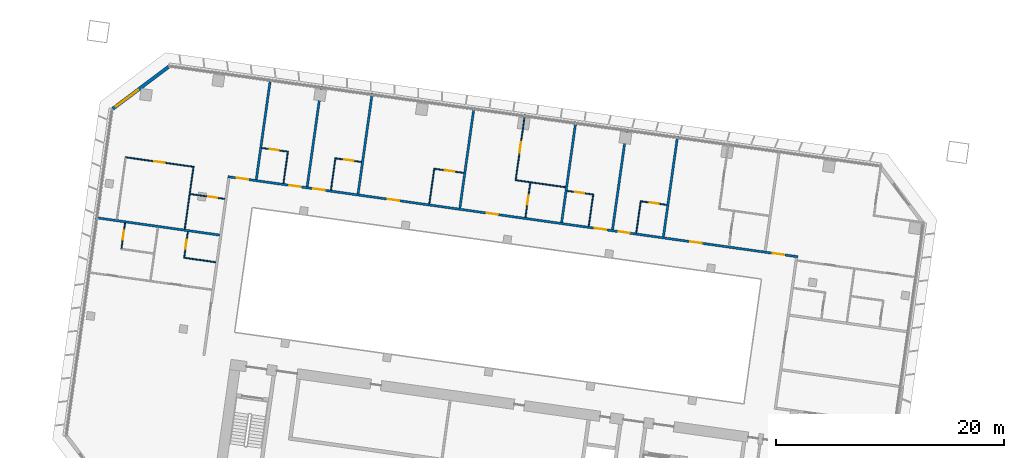
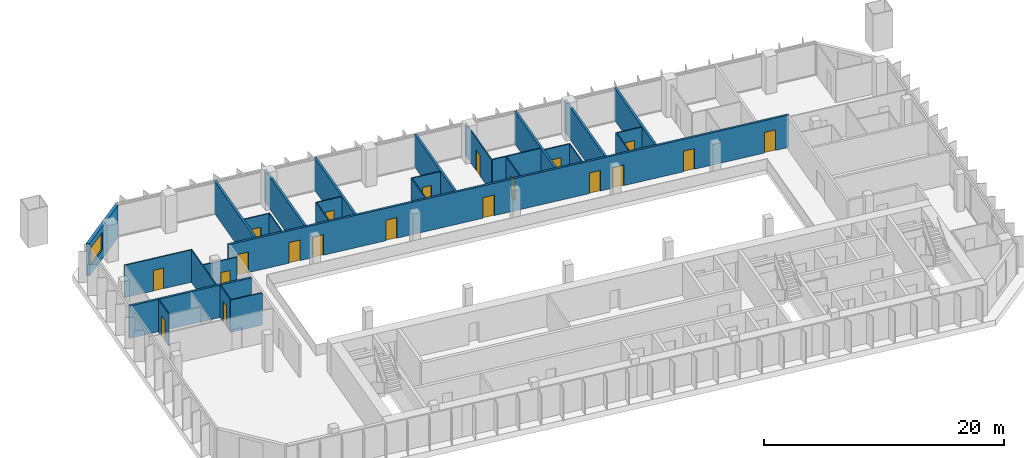
# One storey, part 16 of 24: 29 walls, 20 doors, 1 window, 21 openings.
"""IFC4 building model written with IfcOpenShell, lengths in metres."""

from ifc_helpers import new_model, si_unit, direction, frame, frame_2d, origin, place, context, subcontext, project, spatial, rectangle, extrude, material, layer, layer_set, type_object, element, fill, save


model = new_model("IFC4")

# Units and contexts
model_context = context("Model", 3, precision=1e-05, world=origin(), true_north=direction((0.0, 1.0)))
body_context = subcontext(model_context, "Body", "Model", "MODEL_VIEW")
ifc_project = project(units=[si_unit("LENGTHUNIT", "METRE"), si_unit("AREAUNIT", "SQUARE_METRE"), si_unit("VOLUMEUNIT", "CUBIC_METRE"), si_unit("PLANEANGLEUNIT", "RADIAN"), si_unit("MASSUNIT", "GRAM", prefix="KILO")], contexts=[model_context])

# Site, building, storey
site_placement = place(None, origin())
site = spatial("IfcSite", under=ifc_project, at=site_placement, CompositionType="ELEMENT")
building_placement = place(site_placement, origin())
building = spatial("IfcBuilding", under=site, at=building_placement, Name="Mirante Cascada Hotel Towers", CompositionType="ELEMENT")
storey_placement = place(building_placement, frame((0.0, 0.0, 88.9)))
storey = spatial("IfcBuildingStorey", under=building, at=storey_placement, Name="L19", CompositionType="ELEMENT", Elevation=88.9)

# Wall
ifc_material_1 = material(Name="Fire-rated plasterboard on metal studs")
ifc_layer_1 = layer(ifc_material_1, 0.2)
ifc_layer_set_1 = layer_set([ifc_layer_1], Name="Compartment wall 200 EI 120")
wall_type_1 = type_object("IfcWallType", Name="Compartment wall 200 EI 120", PredefinedType="PARTITIONING", material=ifc_layer_set_1)
wall_1_placement = place(storey_placement, frame((-100.6266, 12.8067, 0.0), z_axis=(0.0, 0.0, 1.0), x_axis=(0.990268, -0.1391733, 0.0)))
element("IfcWall", 1, at=wall_1_placement, inside=storey, type_object=wall_type_1, Name="Wall 1-L19-09", PredefinedType="PARTITIONING", context=body_context, shape_type="SweptSolid", body=[
    extrude(rectangle(XDim=11.0, YDim=0.2, at=frame_2d((5.5, 0.0))), origin(), (0.0, 0.0, 1.0), 3.3),
])

# Wall, openings, doors
wall_2_placement = place(storey_placement, frame((-39.1051, 9.3779, 0.0), z_axis=(0.0, 0.0, 1.0), x_axis=(-0.9902681, 0.1391727, 0.0)))
wall_2 = element("IfcWall", 2, at=wall_2_placement, inside=storey, type_object=wall_type_1, Name="Wall 1-L19-14", PredefinedType="PARTITIONING", context=body_context, shape_type="SweptSolid", body=[
    extrude(rectangle(XDim=50.4, YDim=0.2, at=frame_2d((25.2, 0.0))), origin(), (0.0, 0.0, 1.0), 3.3),
])
opening_1_placement = place(wall_2_placement, frame((1.2, 0.0, 0.0)))
opening_1 = element("IfcOpeningElement", 3, at=opening_1_placement, cuts=wall_2, Name="Opening D1-L19-08", PredefinedType="OPENING", context=body_context, shape_type="SweptSolid", body=[
    extrude(rectangle(XDim=1.0, YDim=2.1, at=frame_2d((0.5, 1.05))), frame((0.0, 0.1, 0.0), z_axis=(0.0, -1.0, 0.0), x_axis=(1.0, 0.0, 0.0)), (0.0, 0.0, 1.0), 0.2),
])
opening_2_placement = place(wall_2_placement, frame((8.5, 0.0, 0.0)))
opening_2 = element("IfcOpeningElement", 4, at=opening_2_placement, cuts=wall_2, Name="Opening D1-L19-09", PredefinedType="OPENING", context=body_context, shape_type="SweptSolid", body=[
    extrude(rectangle(XDim=1.0, YDim=2.1, at=frame_2d((0.5, 1.05))), frame((0.0, 0.1, 0.0), z_axis=(0.0, -1.0, 0.0), x_axis=(1.0, 0.0, 0.0)), (0.0, 0.0, 1.0), 0.2),
])
opening_3_placement = place(wall_2_placement, frame((14.85, 0.0, 0.0)))
opening_3 = element("IfcOpeningElement", 5, at=opening_3_placement, cuts=wall_2, Name="Opening D1-L19-10", PredefinedType="OPENING", context=body_context, shape_type="SweptSolid", body=[
    extrude(rectangle(XDim=1.0, YDim=2.1, at=frame_2d((0.5, 1.05))), frame((0.0, 0.1, 0.0), z_axis=(0.0, -1.0, 0.0), x_axis=(1.0, 0.0, 0.0)), (0.0, 0.0, 1.0), 0.2),
])
opening_4_placement = place(wall_2_placement, frame((16.95, 0.0, 0.0)))
opening_4 = element("IfcOpeningElement", 6, at=opening_4_placement, cuts=wall_2, Name="Opening D1-L19-11", PredefinedType="OPENING", context=body_context, shape_type="SweptSolid", body=[
    extrude(rectangle(XDim=1.0, YDim=2.1, at=frame_2d((0.5, 1.05))), frame((0.0, 0.1, 0.0), z_axis=(0.0, -1.0, 0.0), x_axis=(1.0, 0.0, 0.0)), (0.0, 0.0, 1.0), 0.2),
])
opening_5_placement = place(wall_2_placement, frame((26.5, 0.0, 0.0)))
opening_5 = element("IfcOpeningElement", 7, at=opening_5_placement, cuts=wall_2, Name="Opening D1-L19-12", PredefinedType="OPENING", context=body_context, shape_type="SweptSolid", body=[
    extrude(rectangle(XDim=1.0, YDim=2.1, at=frame_2d((0.5, 1.05))), frame((0.0, 0.1, 0.0), z_axis=(0.0, -1.0, 0.0), x_axis=(1.0, 0.0, 0.0)), (0.0, 0.0, 1.0), 0.2),
])
opening_6_placement = place(wall_2_placement, frame((35.25, 0.0, 0.0)))
opening_6 = element("IfcOpeningElement", 8, at=opening_6_placement, cuts=wall_2, Name="Opening D1-L19-13", PredefinedType="OPENING", context=body_context, shape_type="SweptSolid", body=[
    extrude(rectangle(XDim=1.0, YDim=2.1, at=frame_2d((0.5, 1.05))), frame((0.0, 0.1, 0.0), z_axis=(0.0, -1.0, 0.0), x_axis=(1.0, 0.0, 0.0)), (0.0, 0.0, 1.0), 0.2),
])
opening_7_placement = place(wall_2_placement, frame((41.85, 0.0, 0.0)))
opening_7 = element("IfcOpeningElement", 9, at=opening_7_placement, cuts=wall_2, Name="Opening D1-L19-14", PredefinedType="OPENING", context=body_context, shape_type="SweptSolid", body=[
    extrude(rectangle(XDim=1.0, YDim=2.1, at=frame_2d((0.5, 1.05))), frame((0.0, 0.1, 0.0), z_axis=(0.0, -1.0, 0.0), x_axis=(1.0, 0.0, 0.0)), (0.0, 0.0, 1.0), 0.2),
])
opening_8_placement = place(wall_2_placement, frame((43.95, 0.0, 0.0)))
opening_8 = element("IfcOpeningElement", 10, at=opening_8_placement, cuts=wall_2, Name="Opening D1-L19-15", PredefinedType="OPENING", context=body_context, shape_type="SweptSolid", body=[
    extrude(rectangle(XDim=1.0, YDim=2.1, at=frame_2d((0.5, 1.05))), frame((0.0, 0.1, 0.0), z_axis=(0.0, -1.0, 0.0), x_axis=(1.0, 0.0, 0.0)), (0.0, 0.0, 1.0), 0.2),
])
opening_9_placement = place(wall_2_placement, frame((48.6, 0.0, 0.0)))
opening_9 = element("IfcOpeningElement", 11, at=opening_9_placement, cuts=wall_2, Name="Opening D1-L19-16", PredefinedType="OPENING", context=body_context, shape_type="SweptSolid", body=[
    extrude(rectangle(XDim=1.0, YDim=2.1, at=frame_2d((0.5, 1.05))), frame((0.0, 0.1, 0.0), z_axis=(0.0, -1.0, 0.0), x_axis=(1.0, 0.0, 0.0)), (0.0, 0.0, 1.0), 0.2),
])
ifc_material_2 = material(Name="Fire-rated timber door leaf", Category="wood")
door_type_1 = type_object("IfcDoorType", Name="Entrance door DG1 1000x2100 EI 60", OperationType="SINGLE_SWING_LEFT", PredefinedType="DOOR", material=ifc_material_2)
door_1_placement = place(opening_1_placement, frame((1.0, 0.0, 0.0), z_axis=(0.0, 0.0, 1.0), x_axis=(-1.0, 0.0, 0.0)))
door_1 = element("IfcDoor", 12, at=door_1_placement, inside=storey, type_object=door_type_1, Name="Door D1-L19-08", OperationType="SINGLE_SWING_RIGHT", OverallHeight=2.1, OverallWidth=1.0, PredefinedType="DOOR", context=body_context, shape_type="SweptSolid", body=[
    extrude(rectangle(XDim=1.0, YDim=2.1, at=frame_2d((0.5, 1.05))), frame((0.0, 0.025, 0.0), z_axis=(0.0, -1.0, 0.0), x_axis=(1.0, 0.0, 0.0)), (0.0, 0.0, 1.0), 0.05),
])
fill(opening_1, door_1)
door_2_placement = place(opening_2_placement, frame((1.0, 0.0, 0.0), z_axis=(0.0, 0.0, 1.0), x_axis=(-1.0, 0.0, 0.0)))
door_2 = element("IfcDoor", 13, at=door_2_placement, inside=storey, type_object=door_type_1, Name="Door D1-L19-09", OperationType="SINGLE_SWING_RIGHT", OverallHeight=2.1, OverallWidth=1.0, PredefinedType="DOOR", context=body_context, shape_type="SweptSolid", body=[
    extrude(rectangle(XDim=1.0, YDim=2.1, at=frame_2d((0.5, 1.05))), frame((0.0, 0.025, 0.0), z_axis=(0.0, -1.0, 0.0), x_axis=(1.0, 0.0, 0.0)), (0.0, 0.0, 1.0), 0.05),
])
fill(opening_2, door_2)
door_3_placement = place(opening_3_placement, frame((1.0, 0.0, 0.0), z_axis=(0.0, 0.0, 1.0), x_axis=(-1.0, 0.0, 0.0)))
door_3 = element("IfcDoor", 14, at=door_3_placement, inside=storey, type_object=door_type_1, Name="Door D1-L19-10", OperationType="SINGLE_SWING_RIGHT", OverallHeight=2.1, OverallWidth=1.0, PredefinedType="DOOR", context=body_context, shape_type="SweptSolid", body=[
    extrude(rectangle(XDim=1.0, YDim=2.1, at=frame_2d((0.5, 1.05))), frame((0.0, 0.025, 0.0), z_axis=(0.0, -1.0, 0.0), x_axis=(1.0, 0.0, 0.0)), (0.0, 0.0, 1.0), 0.05),
])
fill(opening_3, door_3)
door_4_placement = place(opening_4_placement, frame((1.0, 0.0, 0.0), z_axis=(0.0, 0.0, 1.0), x_axis=(-1.0, 0.0, 0.0)))
door_4 = element("IfcDoor", 15, at=door_4_placement, inside=storey, type_object=door_type_1, Name="Door D1-L19-11", OperationType="SINGLE_SWING_RIGHT", OverallHeight=2.1, OverallWidth=1.0, PredefinedType="DOOR", context=body_context, shape_type="SweptSolid", body=[
    extrude(rectangle(XDim=1.0, YDim=2.1, at=frame_2d((0.5, 1.05))), frame((0.0, 0.025, 0.0), z_axis=(0.0, -1.0, 0.0), x_axis=(1.0, 0.0, 0.0)), (0.0, 0.0, 1.0), 0.05),
])
fill(opening_4, door_4)
door_5_placement = place(opening_5_placement, frame((1.0, 0.0, 0.0), z_axis=(0.0, 0.0, 1.0), x_axis=(-1.0, 0.0, 0.0)))
door_5 = element("IfcDoor", 16, at=door_5_placement, inside=storey, type_object=door_type_1, Name="Door D1-L19-12", OperationType="SINGLE_SWING_RIGHT", OverallHeight=2.1, OverallWidth=1.0, PredefinedType="DOOR", context=body_context, shape_type="SweptSolid", body=[
    extrude(rectangle(XDim=1.0, YDim=2.1, at=frame_2d((0.5, 1.05))), frame((0.0, 0.025, 0.0), z_axis=(0.0, -1.0, 0.0), x_axis=(1.0, 0.0, 0.0)), (0.0, 0.0, 1.0), 0.05),
])
fill(opening_5, door_5)
door_6_placement = place(opening_6_placement, frame((1.0, 0.0, 0.0), z_axis=(0.0, 0.0, 1.0), x_axis=(-1.0, 0.0, 0.0)))
door_6 = element("IfcDoor", 17, at=door_6_placement, inside=storey, type_object=door_type_1, Name="Door D1-L19-13", OperationType="SINGLE_SWING_RIGHT", OverallHeight=2.1, OverallWidth=1.0, PredefinedType="DOOR", context=body_context, shape_type="SweptSolid", body=[
    extrude(rectangle(XDim=1.0, YDim=2.1, at=frame_2d((0.5, 1.05))), frame((0.0, 0.025, 0.0), z_axis=(0.0, -1.0, 0.0), x_axis=(1.0, 0.0, 0.0)), (0.0, 0.0, 1.0), 0.05),
])
fill(opening_6, door_6)
door_7_placement = place(opening_7_placement, frame((1.0, 0.0, 0.0), z_axis=(0.0, 0.0, 1.0), x_axis=(-1.0, 0.0, 0.0)))
door_7 = element("IfcDoor", 18, at=door_7_placement, inside=storey, type_object=door_type_1, Name="Door D1-L19-14", OperationType="SINGLE_SWING_RIGHT", OverallHeight=2.1, OverallWidth=1.0, PredefinedType="DOOR", context=body_context, shape_type="SweptSolid", body=[
    extrude(rectangle(XDim=1.0, YDim=2.1, at=frame_2d((0.5, 1.05))), frame((0.0, 0.025, 0.0), z_axis=(0.0, -1.0, 0.0), x_axis=(1.0, 0.0, 0.0)), (0.0, 0.0, 1.0), 0.05),
])
fill(opening_7, door_7)
door_8_placement = place(opening_8_placement, frame((1.0, 0.0, 0.0), z_axis=(0.0, 0.0, 1.0), x_axis=(-1.0, 0.0, 0.0)))
door_8 = element("IfcDoor", 19, at=door_8_placement, inside=storey, type_object=door_type_1, Name="Door D1-L19-15", OperationType="SINGLE_SWING_RIGHT", OverallHeight=2.1, OverallWidth=1.0, PredefinedType="DOOR", context=body_context, shape_type="SweptSolid", body=[
    extrude(rectangle(XDim=1.0, YDim=2.1, at=frame_2d((0.5, 1.05))), frame((0.0, 0.025, 0.0), z_axis=(0.0, -1.0, 0.0), x_axis=(1.0, 0.0, 0.0)), (0.0, 0.0, 1.0), 0.05),
])
fill(opening_8, door_8)
door_9_placement = place(opening_9_placement, frame((1.0, 0.0, 0.0), z_axis=(0.0, 0.0, 1.0), x_axis=(-1.0, 0.0, 0.0)))
door_9 = element("IfcDoor", 20, at=door_9_placement, inside=storey, type_object=door_type_1, Name="Door D1-L19-16", OperationType="SINGLE_SWING_RIGHT", OverallHeight=2.1, OverallWidth=1.0, PredefinedType="DOOR", context=body_context, shape_type="SweptSolid", body=[
    extrude(rectangle(XDim=1.0, YDim=2.1, at=frame_2d((0.5, 1.05))), frame((0.0, 0.025, 0.0), z_axis=(0.0, -1.0, 0.0), x_axis=(1.0, 0.0, 0.0)), (0.0, 0.0, 1.0), 0.05),
])
fill(opening_9, door_9)

# Walls
for number, where, z_axis, x_axis, name in (
    (21, (-49.6367, 19.9465, 0.0), (0.0, 0.0, 1.0), (-0.1391794, -0.9902672, 0.0), "Wall 1-L19-35"),
    (22, (-54.0929, 20.5728, 0.0), (0.0, 0.0, 1.0), (-0.1391794, -0.9902672, 0.0), "Wall 1-L19-37"),
):
    element("IfcWall", number, at=place(storey_placement, frame(where, z_axis=z_axis, x_axis=x_axis)), inside=storey, type_object=wall_type_1, Name=name, PredefinedType="PARTITIONING", context=body_context, shape_type="SweptSolid", body=[
        extrude(rectangle(XDim=8.9, YDim=0.2, at=frame_2d((4.45, 0.0))), origin(), (0.0, 0.0, 1.0), 3.3),
    ])
wall_3_placement = place(storey_placement, frame((-58.5492, 21.199, 0.0), z_axis=(0.0, 0.0, 1.0), x_axis=(-0.13917, -0.9902685, 0.0)))
element("IfcWall", 23, at=wall_3_placement, inside=storey, type_object=wall_type_1, Name="Wall 1-L19-39", PredefinedType="PARTITIONING", context=body_context, shape_type="SweptSolid", body=[
    extrude(rectangle(XDim=8.8999, YDim=0.2, at=frame_2d((4.45, 0.0))), origin(), (0.0, 0.0, 1.0), 3.3),
])
for number, where, z_axis, x_axis, name in (
    (24, (-68.7002, 13.6382, 0.0), (0.0, 0.0, 1.0), (0.1391684, 0.9902687, 0.0), "Wall 1-L19-42"),
    (25, (-77.6126, 14.8908, 0.0), (0.0, 0.0, 1.0), (0.1391684, 0.9902687, 0.0), "Wall 1-L19-44"),
):
    element("IfcWall", number, at=place(storey_placement, frame(where, z_axis=z_axis, x_axis=x_axis)), inside=storey, type_object=wall_type_1, Name=name, PredefinedType="PARTITIONING", context=body_context, shape_type="SweptSolid", body=[
        extrude(rectangle(XDim=8.9, YDim=0.2, at=frame_2d((4.45, 0.0))), origin(), (0.0, 0.0, 1.0), 3.3),
    ])
wall_4_placement = place(storey_placement, frame((-82.0688, 15.5171, 0.0), z_axis=(0.0, 0.0, 1.0), x_axis=(0.13917, 0.9902685, 0.0)))
element("IfcWall", 26, at=wall_4_placement, inside=storey, type_object=wall_type_1, Name="Wall 1-L19-46", PredefinedType="PARTITIONING", context=body_context, shape_type="SweptSolid", body=[
    extrude(rectangle(XDim=8.8999, YDim=0.2, at=frame_2d((4.45, 0.0))), origin(), (0.0, 0.0, 1.0), 3.3),
])
wall_5_placement = place(storey_placement, frame((-86.525, 16.1433, 0.0), z_axis=(0.0, 0.0, 1.0), x_axis=(0.1391684, 0.9902687, 0.0)))
element("IfcWall", 27, at=wall_5_placement, inside=storey, type_object=wall_type_1, Name="Wall 1-L19-48", PredefinedType="PARTITIONING", context=body_context, shape_type="SweptSolid", body=[
    extrude(rectangle(XDim=8.9, YDim=0.2, at=frame_2d((4.45, 0.0))), origin(), (0.0, 0.0, 1.0), 3.3),
])
ifc_material_3 = material(Name="Plasterboard on metal studs")
ifc_layer_2 = layer(ifc_material_3, 0.1)
ifc_layer_set_2 = layer_set([ifc_layer_2], Name="Partition 100")
wall_type_2 = type_object("IfcWallType", Name="Partition 100", PredefinedType="PARTITIONING", material=ifc_layer_set_2)
wall_6_placement = place(storey_placement, frame((-90.0677, 8.8992, 0.0), z_axis=(0.0, 0.0, 1.0), x_axis=(-0.9902704, 0.1391564, 0.0)))
element("IfcWall", 28, at=wall_6_placement, inside=storey, type_object=wall_type_2, Name="Wall 1-L19-06", PredefinedType="PARTITIONING", context=body_context, shape_type="SweptSolid", body=[
    extrude(rectangle(XDim=2.85, YDim=0.1, at=frame_2d((1.425, 0.0))), origin(), (0.0, 0.0, 1.0), 3.3),
])

# Wall, opening, door
wall_7_placement = place(storey_placement, frame((-89.2883, 14.4447, 0.0), z_axis=(0.0, 0.0, 1.0), x_axis=(-0.9902676, 0.1391765, 0.0)))
wall_7 = element("IfcWall", 29, at=wall_7_placement, inside=storey, type_object=wall_type_2, Name="Wall 1-L19-12", PredefinedType="PARTITIONING", context=body_context, shape_type="SweptSolid", body=[
    extrude(rectangle(XDim=3.0501, YDim=0.1, at=frame_2d((1.525, 0.0))), origin(), (0.0, 0.0, 1.0), 3.3),
])
opening_10_placement = place(wall_7_placement, frame((0.65, 0.0, 0.0)))
opening_10 = element("IfcOpeningElement", 30, at=opening_10_placement, cuts=wall_7, Name="Opening D1-L19-05", PredefinedType="OPENING", context=body_context, shape_type="SweptSolid", body=[
    extrude(rectangle(XDim=0.8, YDim=2.1, at=frame_2d((0.4, 1.05))), frame((0.0, 0.05, 0.0), z_axis=(0.0, -1.0, 0.0), x_axis=(1.0, 0.0, 0.0)), (0.0, 0.0, 1.0), 0.1),
])
ifc_material_4 = material(Name="Timber door leaf", Category="wood")
door_type_2 = type_object("IfcDoorType", Name="Bathroom door DG4 800x2100", OperationType="SINGLE_SWING_LEFT", PredefinedType="DOOR", material=ifc_material_4)
door_10_placement = place(opening_10_placement, frame((0.8, 0.0, 0.0), z_axis=(0.0, 0.0, 1.0), x_axis=(-1.0, 0.0, 0.0)))
door_10 = element("IfcDoor", 31, at=door_10_placement, inside=storey, type_object=door_type_2, Name="Door D1-L19-05", OperationType="SINGLE_SWING_RIGHT", OverallHeight=2.1, OverallWidth=0.8, PredefinedType="DOOR", context=body_context, shape_type="SweptSolid", body=[
    extrude(rectangle(XDim=0.8, YDim=2.1, at=frame_2d((0.4, 1.05))), frame((0.0, 0.025, 0.0), z_axis=(0.0, -1.0, 0.0), x_axis=(1.0, 0.0, 0.0)), (0.0, 0.0, 1.0), 0.05),
])
fill(opening_10, door_10)

wall_8_placement = place(storey_placement, frame((-98.0153, 18.0948, 0.0), z_axis=(0.0, 0.0, 1.0), x_axis=(0.9902673, -0.1391787, 0.0)))
wall_8 = element("IfcWall", 32, at=wall_8_placement, inside=storey, type_object=wall_type_2, Name="Wall 1-L19-15", PredefinedType="PARTITIONING", context=body_context, shape_type="SweptSolid", body=[
    extrude(rectangle(XDim=6.1001, YDim=0.1, at=frame_2d((3.05, 0.0))), origin(), (0.0, 0.0, 1.0), 3.3),
])
opening_11_placement = place(wall_8_placement, frame((2.6, 0.0, 0.0)))
opening_11 = element("IfcOpeningElement", 33, at=opening_11_placement, cuts=wall_8, Name="Opening D1-L19-17", PredefinedType="OPENING", context=body_context, shape_type="SweptSolid", body=[
    extrude(rectangle(XDim=0.9, YDim=2.1, at=frame_2d((0.45, 1.05))), frame((0.0, 0.05, 0.0), z_axis=(0.0, -1.0, 0.0), x_axis=(1.0, 0.0, 0.0)), (0.0, 0.0, 1.0), 0.1),
])
ifc_material_5 = material(Name="Timber door leaf", Category="wood")
door_type_3 = type_object("IfcDoorType", Name="Room door DG3 900x2100", OperationType="SINGLE_SWING_LEFT", PredefinedType="DOOR", material=ifc_material_5)
door_11_placement = place(opening_11_placement, origin())
door_11 = element("IfcDoor", 34, at=door_11_placement, inside=storey, type_object=door_type_3, Name="Door D1-L19-17", OperationType="SINGLE_SWING_LEFT", OverallHeight=2.1, OverallWidth=0.9, PredefinedType="DOOR", context=body_context, shape_type="SweptSolid", body=[
    extrude(rectangle(XDim=0.9, YDim=2.1, at=frame_2d((0.45, 1.05))), frame((0.0, 0.025, 0.0), z_axis=(0.0, -1.0, 0.0), x_axis=(1.0, 0.0, 0.0)), (0.0, 0.0, 1.0), 0.05),
])
fill(opening_11, door_11)

wall_9_placement = place(storey_placement, frame((-50.5847, 13.9198, 0.0), z_axis=(0.0, 0.0, 1.0), x_axis=(-0.9902705, 0.1391561, 0.0)))
wall_9 = element("IfcWall", 35, at=wall_9_placement, inside=storey, type_object=wall_type_2, Name="Wall 1-L19-16", PredefinedType="PARTITIONING", context=body_context, shape_type="SweptSolid", body=[
    extrude(rectangle(XDim=2.25, YDim=0.1, at=frame_2d((1.125, 0.0))), origin(), (0.0, 0.0, 1.0), 3.3),
])
opening_12_placement = place(wall_9_placement, frame((0.7, 0.0, 0.0)))
opening_12 = element("IfcOpeningElement", 36, at=opening_12_placement, cuts=wall_9, Name="Opening D1-L19-18", PredefinedType="OPENING", context=body_context, shape_type="SweptSolid", body=[
    extrude(rectangle(XDim=0.8, YDim=2.1, at=frame_2d((0.4, 1.05))), frame((0.0, 0.05, 0.0), z_axis=(0.0, -1.0, 0.0), x_axis=(1.0, 0.0, 0.0)), (0.0, 0.0, 1.0), 0.1),
])
door_12_placement = place(opening_12_placement, frame((0.8, 0.0, 0.0), z_axis=(0.0, 0.0, 1.0), x_axis=(-1.0, 0.0, 0.0)))
door_12 = element("IfcDoor", 37, at=door_12_placement, inside=storey, type_object=door_type_2, Name="Door D1-L19-18", OperationType="SINGLE_SWING_RIGHT", OverallHeight=2.1, OverallWidth=0.8, PredefinedType="DOOR", context=body_context, shape_type="SweptSolid", body=[
    extrude(rectangle(XDim=0.8, YDim=2.1, at=frame_2d((0.4, 1.05))), frame((0.0, 0.025, 0.0), z_axis=(0.0, -1.0, 0.0), x_axis=(1.0, 0.0, 0.0)), (0.0, 0.0, 1.0), 0.05),
])
fill(opening_12, door_12)

wall_10_placement = place(storey_placement, frame((-59.2991, 15.1445, 0.0), z_axis=(0.0, 0.0, 1.0), x_axis=(0.9902705, -0.1391561, 0.0)))
wall_10 = element("IfcWall", 38, at=wall_10_placement, inside=storey, type_object=wall_type_2, Name="Wall 1-L19-17", PredefinedType="PARTITIONING", context=body_context, shape_type="SweptSolid", body=[
    extrude(rectangle(XDim=2.25, YDim=0.1, at=frame_2d((1.125, 0.0))), origin(), (0.0, 0.0, 1.0), 3.3),
])
opening_13_placement = place(wall_10_placement, frame((0.7, 0.0, 0.0)))
opening_13 = element("IfcOpeningElement", 39, at=opening_13_placement, cuts=wall_10, Name="Opening D1-L19-19", PredefinedType="OPENING", context=body_context, shape_type="SweptSolid", body=[
    extrude(rectangle(XDim=0.8, YDim=2.1, at=frame_2d((0.4, 1.05))), frame((0.0, 0.05, 0.0), z_axis=(0.0, -1.0, 0.0), x_axis=(1.0, 0.0, 0.0)), (0.0, 0.0, 1.0), 0.1),
])
door_13_placement = place(opening_13_placement, origin())
door_13 = element("IfcDoor", 40, at=door_13_placement, inside=storey, type_object=door_type_2, Name="Door D1-L19-19", OperationType="SINGLE_SWING_LEFT", OverallHeight=2.1, OverallWidth=0.8, PredefinedType="DOOR", context=body_context, shape_type="SweptSolid", body=[
    extrude(rectangle(XDim=0.8, YDim=2.1, at=frame_2d((0.4, 1.05))), frame((0.0, 0.025, 0.0), z_axis=(0.0, -1.0, 0.0), x_axis=(1.0, 0.0, 0.0)), (0.0, 0.0, 1.0), 0.05),
])
fill(opening_13, door_13)

wall_11_placement = place(storey_placement, frame((-77.322, 17.6774, 0.0), z_axis=(0.0, 0.0, 1.0), x_axis=(-0.9902643, 0.1391997, 0.0)))
wall_11 = element("IfcWall", 41, at=wall_11_placement, inside=storey, type_object=wall_type_2, Name="Wall 1-L19-18", PredefinedType="PARTITIONING", context=body_context, shape_type="SweptSolid", body=[
    extrude(rectangle(XDim=2.25, YDim=0.1, at=frame_2d((1.125, 0.0))), origin(), (0.0, 0.0, 1.0), 3.3),
])
opening_14_placement = place(wall_11_placement, frame((0.7, 0.0, 0.0)))
opening_14 = element("IfcOpeningElement", 42, at=opening_14_placement, cuts=wall_11, Name="Opening D1-L19-20", PredefinedType="OPENING", context=body_context, shape_type="SweptSolid", body=[
    extrude(rectangle(XDim=0.8, YDim=2.1, at=frame_2d((0.4, 1.05))), frame((0.0, 0.05, 0.0), z_axis=(0.0, -1.0, 0.0), x_axis=(1.0, 0.0, 0.0)), (0.0, 0.0, 1.0), 0.1),
])
door_14_placement = place(opening_14_placement, frame((0.8, 0.0, 0.0), z_axis=(0.0, 0.0, 1.0), x_axis=(-1.0, 0.0, 0.0)))
door_14 = element("IfcDoor", 43, at=door_14_placement, inside=storey, type_object=door_type_2, Name="Door D1-L19-20", OperationType="SINGLE_SWING_RIGHT", OverallHeight=2.1, OverallWidth=0.8, PredefinedType="DOOR", context=body_context, shape_type="SweptSolid", body=[
    extrude(rectangle(XDim=0.8, YDim=2.1, at=frame_2d((0.4, 1.05))), frame((0.0, 0.025, 0.0), z_axis=(0.0, -1.0, 0.0), x_axis=(1.0, 0.0, 0.0)), (0.0, 0.0, 1.0), 0.05),
])
fill(opening_14, door_14)

wall_12_placement = place(storey_placement, frame((-86.0363, 18.9022, 0.0), z_axis=(0.0, 0.0, 1.0), x_axis=(0.9902643, -0.1391997, 0.0)))
wall_12 = element("IfcWall", 44, at=wall_12_placement, inside=storey, type_object=wall_type_2, Name="Wall 1-L19-19", PredefinedType="PARTITIONING", context=body_context, shape_type="SweptSolid", body=[
    extrude(rectangle(XDim=2.25, YDim=0.1, at=frame_2d((1.125, 0.0))), origin(), (0.0, 0.0, 1.0), 3.3),
])
opening_15_placement = place(wall_12_placement, frame((0.7, 0.0, 0.0)))
opening_15 = element("IfcOpeningElement", 45, at=opening_15_placement, cuts=wall_12, Name="Opening D1-L19-21", PredefinedType="OPENING", context=body_context, shape_type="SweptSolid", body=[
    extrude(rectangle(XDim=0.8, YDim=2.1, at=frame_2d((0.4, 1.05))), frame((0.0, 0.05, 0.0), z_axis=(0.0, -1.0, 0.0), x_axis=(1.0, 0.0, 0.0)), (0.0, 0.0, 1.0), 0.1),
])
door_15_placement = place(opening_15_placement, origin())
door_15 = element("IfcDoor", 46, at=door_15_placement, inside=storey, type_object=door_type_2, Name="Door D1-L19-21", OperationType="SINGLE_SWING_LEFT", OverallHeight=2.1, OverallWidth=0.8, PredefinedType="DOOR", context=body_context, shape_type="SweptSolid", body=[
    extrude(rectangle(XDim=0.8, YDim=2.1, at=frame_2d((0.4, 1.05))), frame((0.0, 0.025, 0.0), z_axis=(0.0, -1.0, 0.0), x_axis=(1.0, 0.0, 0.0)), (0.0, 0.0, 1.0), 0.05),
])
fill(opening_15, door_15)

# Wall
wall_13_placement = place(storey_placement, frame((-63.7631, 16.0748, 0.0), z_axis=(0.0, 0.0, 1.0), x_axis=(0.9902683, -0.1391714, 0.0)))
element("IfcWall", 47, at=wall_13_placement, inside=storey, type_object=wall_type_2, Name="Wall 1-L19-21", PredefinedType="PARTITIONING", context=body_context, shape_type="SweptSolid", body=[
    extrude(rectangle(XDim=4.35, YDim=0.1, at=frame_2d((2.175, 0.0))), origin(), (0.0, 0.0, 1.0), 3.3),
])

# Wall, opening, door
wall_14_placement = place(storey_placement, frame((-68.3678, 16.722, 0.0), z_axis=(0.0, 0.0, 1.0), x_axis=(-0.9902677, 0.1391755, 0.0)))
wall_14 = element("IfcWall", 48, at=wall_14_placement, inside=storey, type_object=wall_type_2, Name="Wall 1-L19-22", PredefinedType="PARTITIONING", context=body_context, shape_type="SweptSolid", body=[
    extrude(rectangle(XDim=2.55, YDim=0.1, at=frame_2d((1.275, 0.0))), origin(), (0.0, 0.0, 1.0), 3.3),
])
opening_16_placement = place(wall_14_placement, frame((0.85, 0.0, 0.0)))
opening_16 = element("IfcOpeningElement", 49, at=opening_16_placement, cuts=wall_14, Name="Opening D1-L19-22", PredefinedType="OPENING", context=body_context, shape_type="SweptSolid", body=[
    extrude(rectangle(XDim=0.8, YDim=2.1, at=frame_2d((0.4, 1.05))), frame((0.0, 0.05, 0.0), z_axis=(0.0, -1.0, 0.0), x_axis=(1.0, 0.0, 0.0)), (0.0, 0.0, 1.0), 0.1),
])
door_16_placement = place(opening_16_placement, frame((0.8, 0.0, 0.0), z_axis=(0.0, 0.0, 1.0), x_axis=(-1.0, 0.0, 0.0)))
door_16 = element("IfcDoor", 50, at=door_16_placement, inside=storey, type_object=door_type_2, Name="Door D1-L19-22", OperationType="SINGLE_SWING_RIGHT", OverallHeight=2.1, OverallWidth=0.8, PredefinedType="DOOR", context=body_context, shape_type="SweptSolid", body=[
    extrude(rectangle(XDim=0.8, YDim=2.1, at=frame_2d((0.4, 1.05))), frame((0.0, 0.025, 0.0), z_axis=(0.0, -1.0, 0.0), x_axis=(1.0, 0.0, 0.0)), (0.0, 0.0, 1.0), 0.05),
])
fill(opening_16, door_16)

# Walls
for number, where, z_axis, x_axis, name in (
    (51, (-53.252, 11.4671, 0.0), (0.0, 0.0, 1.0), (0.1391564, 0.9902704, 0.0), "Wall 1-L19-36"),
    (52, (-57.4112, 12.0516, 0.0), (0.0, 0.0, 1.0), (0.1391909, 0.9902656, 0.0), "Wall 1-L19-38"),
):
    element("IfcWall", number, at=place(storey_placement, frame(where, z_axis=z_axis, x_axis=x_axis)), inside=storey, type_object=wall_type_2, Name=name, PredefinedType="PARTITIONING", context=body_context, shape_type="SweptSolid", body=[
        extrude(rectangle(XDim=2.85, YDim=0.1, at=frame_2d((1.425, 0.0))), origin(), (0.0, 0.0, 1.0), 3.3),
    ])

# Wall, opening, door
wall_15_placement = place(storey_placement, frame((-62.9567, 12.831, 0.0), z_axis=(0.0, 0.0, 1.0), x_axis=(0.139181, 0.990267, 0.0)))
wall_15 = element("IfcWall", 53, at=wall_15_placement, inside=storey, type_object=wall_type_2, Name="Wall 1-L19-40", PredefinedType="PARTITIONING", context=body_context, shape_type="SweptSolid", body=[
    extrude(rectangle(XDim=3.05, YDim=0.1, at=frame_2d((1.525, 0.0))), origin(), (0.0, 0.0, 1.0), 3.3),
])
opening_17_placement = place(wall_15_placement, frame((1.1, 0.0, 0.0)))
opening_17 = element("IfcOpeningElement", 54, at=opening_17_placement, cuts=wall_15, Name="Opening D1-L19-29", PredefinedType="OPENING", context=body_context, shape_type="SweptSolid", body=[
    extrude(rectangle(XDim=0.8, YDim=2.1, at=frame_2d((0.4, 1.05))), frame((0.0, 0.05, 0.0), z_axis=(0.0, -1.0, 0.0), x_axis=(1.0, 0.0, 0.0)), (0.0, 0.0, 1.0), 0.1),
])
door_17_placement = place(opening_17_placement, origin())
door_17 = element("IfcDoor", 55, at=door_17_placement, inside=storey, type_object=door_type_2, Name="Door D1-L19-29", OperationType="SINGLE_SWING_LEFT", OverallHeight=2.1, OverallWidth=0.8, PredefinedType="DOOR", context=body_context, shape_type="SweptSolid", body=[
    extrude(rectangle(XDim=0.8, YDim=2.1, at=frame_2d((0.4, 1.05))), frame((0.0, 0.025, 0.0), z_axis=(0.0, -1.0, 0.0), x_axis=(1.0, 0.0, 0.0)), (0.0, 0.0, 1.0), 0.05),
])
fill(opening_17, door_17)

wall_16_placement = place(storey_placement, frame((-63.0054, 21.8253, 0.0), z_axis=(0.0, 0.0, 1.0), x_axis=(-0.1391642, -0.9902693, 0.0)))
wall_16 = element("IfcWall", 56, at=wall_16_placement, inside=storey, type_object=wall_type_2, Name="Wall 1-L19-41", PredefinedType="PARTITIONING", context=body_context, shape_type="SweptSolid", body=[
    extrude(rectangle(XDim=5.8499, YDim=0.1, at=frame_2d((2.925, 0.0))), origin(), (0.0, 0.0, 1.0), 3.3),
])
opening_18_placement = place(wall_16_placement, frame((2.45, 0.0, 0.0)))
opening_18 = element("IfcOpeningElement", 57, at=opening_18_placement, cuts=wall_16, Name="Opening D1-L19-30", PredefinedType="OPENING", context=body_context, shape_type="SweptSolid", body=[
    extrude(rectangle(XDim=0.9, YDim=2.1, at=frame_2d((0.45, 1.05))), frame((0.0, 0.05, 0.0), z_axis=(0.0, -1.0, 0.0), x_axis=(1.0, 0.0, 0.0)), (0.0, 0.0, 1.0), 0.1),
])
door_18_placement = place(opening_18_placement, frame((0.9, 0.0, 0.0), z_axis=(0.0, 0.0, 1.0), x_axis=(-1.0, 0.0, 0.0)))
door_18 = element("IfcDoor", 58, at=door_18_placement, inside=storey, type_object=door_type_3, Name="Door D1-L19-30", OperationType="SINGLE_SWING_RIGHT", OverallHeight=2.1, OverallWidth=0.9, PredefinedType="DOOR", context=body_context, shape_type="SweptSolid", body=[
    extrude(rectangle(XDim=0.9, YDim=2.1, at=frame_2d((0.45, 1.05))), frame((0.0, 0.025, 0.0), z_axis=(0.0, -1.0, 0.0), x_axis=(1.0, 0.0, 0.0)), (0.0, 0.0, 1.0), 0.05),
])
fill(opening_18, door_18)

# Walls
wall_17_placement = place(storey_placement, frame((-70.9355, 17.1333, 0.0), z_axis=(0.0, 0.0, 1.0), x_axis=(-0.1391765, -0.9902676, 0.0)))
element("IfcWall", 59, at=wall_17_placement, inside=storey, type_object=wall_type_2, Name="Wall 1-L19-43", PredefinedType="PARTITIONING", context=body_context, shape_type="SweptSolid", body=[
    extrude(rectangle(XDim=3.15, YDim=0.1, at=frame_2d((1.575, 0.0))), origin(), (0.0, 0.0, 1.0), 3.3),
])
for number, where, z_axis, x_axis, name in (
    (60, (-79.5926, 18.0471, 0.0), (0.0, 0.0, 1.0), (-0.1391909, -0.9902656, 0.0), "Wall 1-L19-45"),
    (61, (-83.7517, 18.6316, 0.0), (0.0, 0.0, 1.0), (-0.1391909, -0.9902656, 0.0), "Wall 1-L19-47"),
):
    element("IfcWall", number, at=place(storey_placement, frame(where, z_axis=z_axis, x_axis=x_axis)), inside=storey, type_object=wall_type_2, Name=name, PredefinedType="PARTITIONING", context=body_context, shape_type="SweptSolid", body=[
        extrude(rectangle(XDim=2.85, YDim=0.1, at=frame_2d((1.425, 0.0))), origin(), (0.0, 0.0, 1.0), 3.3),
    ])

# Wall, opening, door
wall_18_placement = place(storey_placement, frame((-92.8335, 9.3384, 0.0), z_axis=(0.0, 0.0, 1.0), x_axis=(0.1391561, 0.9902705, 0.0)))
wall_18 = element("IfcWall", 62, at=wall_18_placement, inside=storey, type_object=wall_type_2, Name="Wall 1-L19-50", PredefinedType="PARTITIONING", context=body_context, shape_type="SweptSolid", body=[
    extrude(rectangle(XDim=2.25, YDim=0.1, at=frame_2d((1.125, 0.0))), origin(), (0.0, 0.0, 1.0), 3.3),
])
opening_19_placement = place(wall_18_placement, frame((0.75, 0.0, 0.0)))
opening_19 = element("IfcOpeningElement", 63, at=opening_19_placement, cuts=wall_18, Name="Opening D1-L19-32", PredefinedType="OPENING", context=body_context, shape_type="SweptSolid", body=[
    extrude(rectangle(XDim=0.8, YDim=2.1, at=frame_2d((0.4, 1.05))), frame((0.0, 0.05, 0.0), z_axis=(0.0, -1.0, 0.0), x_axis=(1.0, 0.0, 0.0)), (0.0, 0.0, 1.0), 0.1),
])
door_19_placement = place(opening_19_placement, frame((0.8, 0.0, 0.0), z_axis=(0.0, 0.0, 1.0), x_axis=(-1.0, 0.0, 0.0)))
door_19 = element("IfcDoor", 64, at=door_19_placement, inside=storey, type_object=door_type_2, Name="Door D1-L19-32", OperationType="SINGLE_SWING_RIGHT", OverallHeight=2.1, OverallWidth=0.8, PredefinedType="DOOR", context=body_context, shape_type="SweptSolid", body=[
    extrude(rectangle(XDim=0.8, YDim=2.1, at=frame_2d((0.4, 1.05))), frame((0.0, 0.025, 0.0), z_axis=(0.0, -1.0, 0.0), x_axis=(1.0, 0.0, 0.0)), (0.0, 0.0, 1.0), 0.05),
])
fill(opening_19, door_19)

# Wall
wall_19_placement = place(storey_placement, frame((-92.0311, 17.2032, 0.0), z_axis=(0.0, 0.0, 1.0), x_axis=(-0.1391758, -0.9902677, 0.0)))
element("IfcWall", 65, at=wall_19_placement, inside=storey, type_object=wall_type_2, Name="Wall 1-L19-51", PredefinedType="PARTITIONING", context=body_context, shape_type="SweptSolid", body=[
    extrude(rectangle(XDim=5.4499, YDim=0.1, at=frame_2d((2.725, 0.0))), origin(), (0.0, 0.0, 1.0), 3.3),
])

# Wall, opening, door
wall_20_placement = place(storey_placement, frame((-98.0163, 12.3389, 0.0), z_axis=(0.0, 0.0, 1.0), x_axis=(-0.1391997, -0.9902643, 0.0)))
wall_20 = element("IfcWall", 66, at=wall_20_placement, inside=storey, type_object=wall_type_2, Name="Wall 1-L19-53", PredefinedType="PARTITIONING", context=body_context, shape_type="SweptSolid", body=[
    extrude(rectangle(XDim=2.25, YDim=0.1, at=frame_2d((1.125, 0.0))), origin(), (0.0, 0.0, 1.0), 3.3),
])
opening_20_placement = place(wall_20_placement, frame((0.7, 0.0, 0.0)))
opening_20 = element("IfcOpeningElement", 67, at=opening_20_placement, cuts=wall_20, Name="Opening D1-L19-33", PredefinedType="OPENING", context=body_context, shape_type="SweptSolid", body=[
    extrude(rectangle(XDim=0.8, YDim=2.1, at=frame_2d((0.4, 1.05))), frame((0.0, 0.05, 0.0), z_axis=(0.0, -1.0, 0.0), x_axis=(1.0, 0.0, 0.0)), (0.0, 0.0, 1.0), 0.1),
])
door_20_placement = place(opening_20_placement, origin())
door_20 = element("IfcDoor", 68, at=door_20_placement, inside=storey, type_object=door_type_2, Name="Door D1-L19-33", OperationType="SINGLE_SWING_LEFT", OverallHeight=2.1, OverallWidth=0.8, PredefinedType="DOOR", context=body_context, shape_type="SweptSolid", body=[
    extrude(rectangle(XDim=0.8, YDim=2.1, at=frame_2d((0.4, 1.05))), frame((0.0, 0.025, 0.0), z_axis=(0.0, -1.0, 0.0), x_axis=(1.0, 0.0, 0.0)), (0.0, 0.0, 1.0), 0.05),
])
fill(opening_20, door_20)

# Wall, opening, window
ifc_material_6 = material(Name="Precast concrete C40/50", Category="concrete")
ifc_layer_3 = layer(ifc_material_6, 0.3)
ifc_layer_set_3 = layer_set([ifc_layer_3], Name="Precast concrete C40/50 cladding wall 300")
wall_type_3 = type_object("IfcWallType", Name="Precast concrete C40/50 cladding wall 300", PredefinedType="STANDARD", material=ifc_layer_set_3)
wall_21_placement = place(storey_placement, frame((-99.0919, 22.3343, 0.0), z_axis=(0.0, 0.0, 1.0), x_axis=(0.7986362, 0.6018141, 0.0)))
wall_21 = element("IfcWall", 69, at=wall_21_placement, inside=storey, type_object=wall_type_3, Name="Corner cladding wall T1 L19 outer front", PredefinedType="STANDARD", context=body_context, shape_type="SweptSolid", body=[
    extrude(rectangle(XDim=6.1157, YDim=0.3, at=frame_2d((3.0578, 0.0))), origin(), (0.0, 0.0, 1.0), 3.3),
])
opening_21_placement = place(wall_21_placement, frame((0.35, 0.0, 0.9)))
opening_21 = element("IfcOpeningElement", 70, at=opening_21_placement, cuts=wall_21, Name="Opening W1-19-06", PredefinedType="OPENING", context=body_context, shape_type="SweptSolid", body=[
    extrude(rectangle(XDim=2.4, YDim=1.8, at=frame_2d((1.2, 0.9))), frame((0.0, 0.15, 0.0), z_axis=(0.0, -1.0, 0.0), x_axis=(1.0, 0.0, 0.0)), (0.0, 0.0, 1.0), 0.3),
])
ifc_material_7 = material(Name="Aluminium frame with clear double glazing", Category="aluminium")
window_type = type_object("IfcWindowType", Name="Punched window 2400x1800", PartitioningType="DOUBLE_PANEL_VERTICAL", PredefinedType="WINDOW", material=ifc_material_7)
window_placement = place(opening_21_placement, origin())
window = element("IfcWindow", 71, at=window_placement, inside=storey, type_object=window_type, Name="Window W1-19-06", OverallHeight=1.8, OverallWidth=2.4, PartitioningType="SINGLE_PANEL", PredefinedType="WINDOW", context=body_context, shape_type="SweptSolid", body=[
    extrude(rectangle(XDim=2.4, YDim=1.8, at=frame_2d((1.2, 0.9))), frame((0.0, 0.03, 0.0), z_axis=(0.0, -1.0, 0.0), x_axis=(1.0, 0.0, 0.0)), (0.0, 0.0, 1.0), 0.06),
])
fill(opening_21, window)

save(model, "model.ifc")
